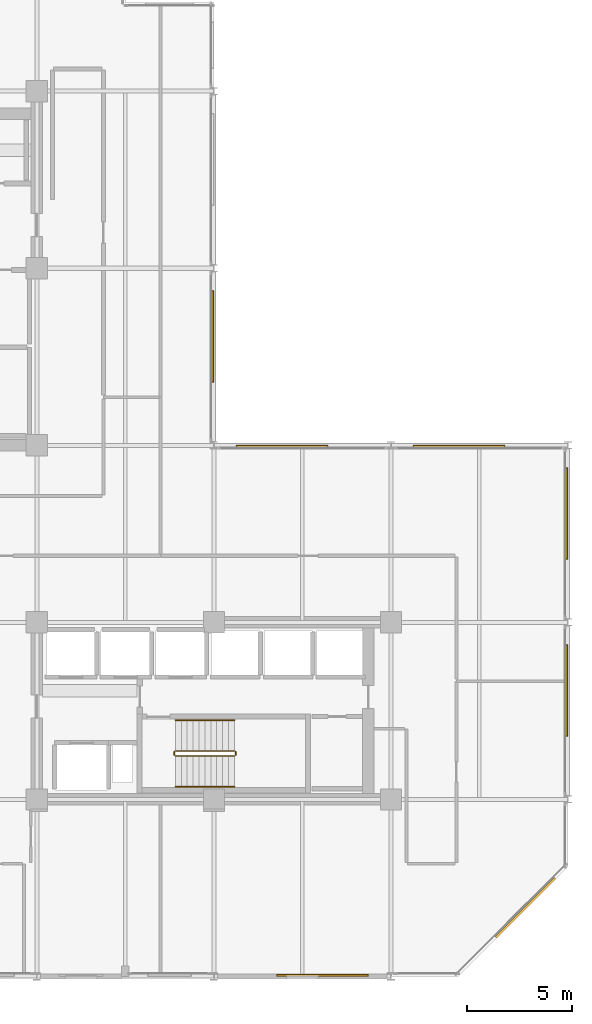
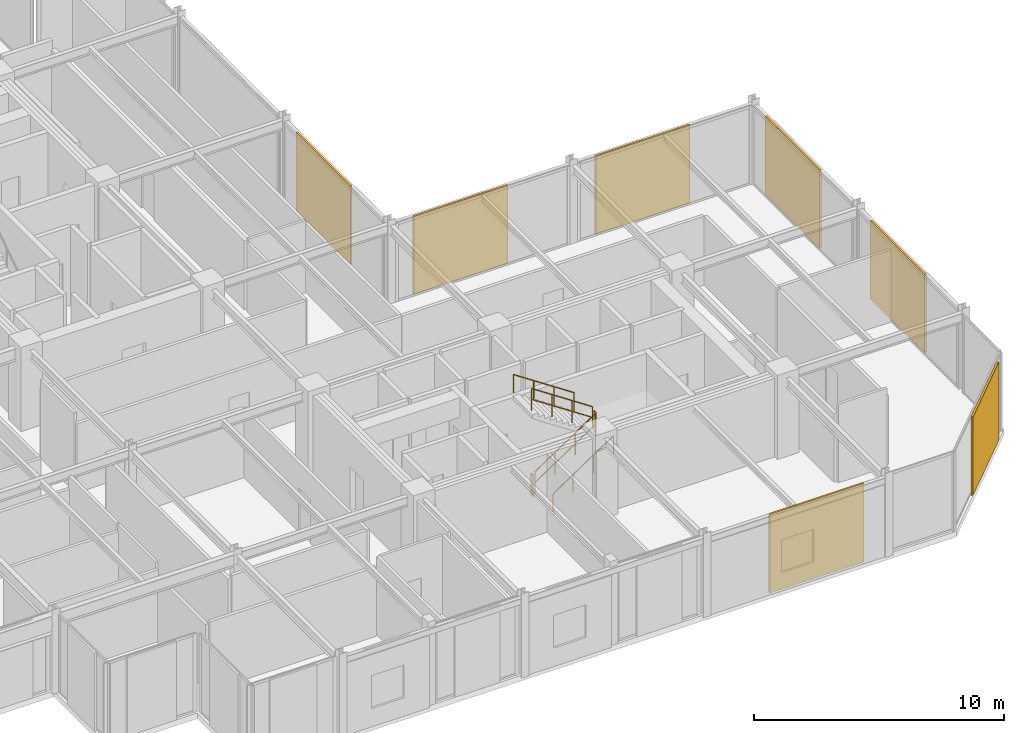
# One storey, part 28 of 29: 7 coverings, 6 railings.
"""IFC4 building model written with IfcOpenShell, lengths in metres."""

from ifc_helpers import new_model, si_unit, direction, frame, origin, origin_2d, place, context, subcontext, project, spatial, rectangle, circle, extrude, material, layer, layer_set, type_object, element, save


model = new_model("IFC4")

# Units and contexts
model_context = context("Model", 3, precision=1e-05, world=origin(), true_north=direction((0.0, 1.0)))
body_context = subcontext(model_context, "Body", "Model", "MODEL_VIEW")
ifc_project = project(units=[si_unit("LENGTHUNIT", "METRE"), si_unit("AREAUNIT", "SQUARE_METRE"), si_unit("VOLUMEUNIT", "CUBIC_METRE"), si_unit("PLANEANGLEUNIT", "RADIAN"), si_unit("MASSUNIT", "GRAM", prefix="KILO")], contexts=[model_context])

# Site, building, storey
site_placement = place(None, origin())
site = spatial("IfcSite", under=ifc_project, at=site_placement, CompositionType="ELEMENT")
building_placement = place(site_placement, origin())
building = spatial("IfcBuilding", under=site, at=building_placement, Name="Nerrivon Quay Data Exchange", CompositionType="ELEMENT")
storey_placement = place(building_placement, frame((0.0, 0.0, 212.39990234375)))
storey = spatial("IfcBuildingStorey", under=building, at=storey_placement, Name="L50", CompositionType="ELEMENT", Elevation=212.39990234375)

# Coverings
ifc_material_1 = material(Name="Architectural terracotta ceramic", Category="masonry")
ifc_layer = layer(ifc_material_1, 0.090087890625)
ifc_layer_set = layer_set([ifc_layer], Name="Architectural terracotta ceramic")
covering_type = type_object("IfcCoveringType", Name="COV-SCR-TERR", PredefinedType="CLADDING", material=ifc_layer_set)
for number, where, z_axis, x_axis, name in (
    (1, (25.155029296875, 30.365966796875, 0.0), (0.0, 0.0, 1.0), (0.0, -1.0, 0.0), "L50 Perforated Terracotta SOLAR SCREEN Cassette"),
    (2, (28.43408203125, 25.155029296875, 0.0), (0.0, 0.0, 1.0), (1.0, 0.0, 0.0), "L50 Perforated Terracotta SOLAR SCREEN Cassette"),
    (3, (36.833984375, 25.155029296875, 0.0), (0.0, 0.0, 1.0), (1.0, 0.0, 0.0), "L50 Perforated Terracotta SOLAR SCREEN Cassette"),
    (4, (41.955078125, 21.966064453125, 0.0), (0.0, 0.0, 1.0), (0.0, -1.0, 0.0), "L50 Perforated Terracotta SOLAR SCREEN Cassette"),
    (5, (41.955078125, 13.56591796875, 0.0), (0.0, 0.0, 1.0), (0.0, -1.0, 0.0), "L50 Perforated Terracotta SOLAR SCREEN Cassette"),
):
    element("IfcCovering", number, at=place(storey_placement, frame(where, z_axis=z_axis, x_axis=x_axis)), inside=storey, type_object=covering_type, Name=name, PredefinedType="CLADDING", context=body_context, shape_type="SweptSolid", body=[
        extrude(rectangle(XDim=4.346923828125, YDim=0.090087890625, at=origin_2d()), origin(), (0.0, 0.0, 1.0), 3.824951171875),
    ])
covering_1_placement = place(storey_placement, frame((39.9921875, 3.255859375, 0.0), z_axis=(0.0, 0.0, 1.0), x_axis=(-0.707106781187, -0.707106781187, 0.0)))
element("IfcCovering", 6, at=covering_1_placement, inside=storey, type_object=covering_type, Name="L50 Perforated Terracotta SOLAR SCREEN Cassette", PredefinedType="CLADDING", context=body_context, shape_type="SweptSolid", body=[
    extrude(rectangle(XDim=3.970947265625, YDim=0.090087890625, at=origin_2d()), origin(), (0.0, 0.0, 1.0), 3.824951171875),
])
covering_2_placement = place(storey_placement, frame((30.365966796875, 0.044921875, 0.0), z_axis=(0.0, 0.0, 1.0), x_axis=(-1.0, 0.0, 0.0)))
element("IfcCovering", 7, at=covering_2_placement, inside=storey, type_object=covering_type, Name="L50 Perforated Terracotta SOLAR SCREEN Cassette", PredefinedType="CLADDING", context=body_context, shape_type="SweptSolid", body=[
    extrude(rectangle(XDim=4.346923828125, YDim=0.090087890625, at=origin_2d()), origin(), (0.0, 0.0, 1.0), 3.824951171875),
])

# Railings
ifc_material_2 = material(Name="Steel Grade C350L0 (350 MPa)", Category="steel")
railing_type_1 = type_object("IfcRailingType", Name="RAIL-HAND-HR1", PredefinedType="HANDRAIL", material=ifc_material_2)
railing_1_placement = place(storey_placement, frame((23.3798828125, 9.0, 0.1865234375)))
element("IfcRailing", 8, at=railing_1_placement, inside=storey, type_object=railing_type_1, Name="L50 ST02 stair handrail 1", PredefinedType="HANDRAIL", context=body_context, shape_type="SweptSolid", body=[
    extrude(circle(Radius=0.02392578125, at=origin_2d()), frame((0.0, 0.0, 0.8759765625), z_axis=(0.832485552168, 0.0, 0.554046753832), x_axis=(0.0, 1.0, 0.0)), (0.0, 0.0, 1.0), 3.363525390625),
    extrude(circle(Radius=0.02099609375, at=origin_2d()), origin(), (0.0, 0.0, 1.0), 0.851806640625),
    extrude(circle(Radius=0.02099609375, at=origin_2d()), frame((0.933349609375, 0.0, 0.62109375)), (0.0, 0.0, 1.0), 0.851806640625),
    extrude(circle(Radius=0.02099609375, at=origin_2d()), frame((1.86669921875, 0.0, 1.242431640625)), (0.0, 0.0, 1.0), 0.851806640625),
    extrude(circle(Radius=0.02099609375, at=origin_2d()), frame((2.800048828125, 0.0, 1.863525390625)), (0.0, 0.0, 1.0), 0.851806640625),
])
railing_2_placement = place(storey_placement, frame((26.179931640625, 12.14990234375, 2.236572265625)))
element("IfcRailing", 9, at=railing_2_placement, inside=storey, type_object=railing_type_1, Name="L50 ST02 stair handrail 2", PredefinedType="HANDRAIL", context=body_context, shape_type="SweptSolid", body=[
    extrude(circle(Radius=0.02392578125, at=origin_2d()), frame((0.0, 0.0, 0.8759765625), z_axis=(-0.832485552168, 0.0, 0.554046753832), x_axis=(0.0, -1.0, 0.0)), (0.0, 0.0, 1.0), 3.363525390625),
    extrude(circle(Radius=0.02099609375, at=origin_2d()), origin(), (0.0, 0.0, 1.0), 0.851806640625),
    extrude(circle(Radius=0.02099609375, at=origin_2d()), frame((-0.933349609375, 0.0, 0.62109375)), (0.0, 0.0, 1.0), 0.851806640625),
    extrude(circle(Radius=0.02099609375, at=origin_2d()), frame((-1.86669921875, 0.0, 1.242431640625)), (0.0, 0.0, 1.0), 0.851806640625),
    extrude(circle(Radius=0.02099609375, at=origin_2d()), frame((-2.800048828125, 0.0, 1.863525390625)), (0.0, 0.0, 1.0), 0.851806640625),
])
railing_type_2 = type_object("IfcRailingType", Name="RAIL-STAIR-GR1", PredefinedType="BALUSTRADE", material=ifc_material_2)
railing_3_placement = place(storey_placement, frame((23.3798828125, 10.449951171875, 0.1865234375)))
element("IfcRailing", 10, at=railing_3_placement, inside=storey, type_object=railing_type_2, Name="L50 ST02 stair guard 1", PredefinedType="BALUSTRADE", context=body_context, shape_type="SweptSolid", body=[
    extrude(circle(Radius=0.02392578125, at=origin_2d()), frame((0.0, 0.0, 1.076171875), z_axis=(0.832485552168, 0.0, 0.554046753832), x_axis=(0.0, 1.0, 0.0)), (0.0, 0.0, 1.0), 3.363525390625),
    extrude(circle(Radius=0.02392578125, at=origin_2d()), frame((0.0, 0.0, 0.550048828125), z_axis=(0.832485552168, 0.0, 0.554046753832), x_axis=(0.0, 1.0, 0.0)), (0.0, 0.0, 1.0), 3.363525390625),
    extrude(circle(Radius=0.02099609375, at=origin_2d()), origin(), (0.0, 0.0, 1.0), 1.052001953125),
    extrude(circle(Radius=0.02099609375, at=origin_2d()), frame((0.933349609375, 0.0, 0.62109375)), (0.0, 0.0, 1.0), 1.052001953125),
    extrude(circle(Radius=0.02099609375, at=origin_2d()), frame((1.86669921875, 0.0, 1.242431640625)), (0.0, 0.0, 1.0), 1.052001953125),
    extrude(circle(Radius=0.02099609375, at=origin_2d()), frame((2.800048828125, 0.0, 1.863525390625)), (0.0, 0.0, 1.0), 1.052001953125),
])
railing_4_placement = place(storey_placement, frame((26.22998046875, 10.5, 2.050048828125)))
element("IfcRailing", 11, at=railing_4_placement, inside=storey, type_object=railing_type_2, Name="L50 ST02 stair guard 2", PredefinedType="BALUSTRADE", context=body_context, shape_type="SweptSolid", body=[
    extrude(circle(Radius=0.02392578125, at=origin_2d()), frame((0.0, 0.0, 1.076171875), z_axis=(0.0, 1.0, 0.0), x_axis=(-1.0, 0.0, 0.0)), (0.0, 0.0, 1.0), 0.14990234375),
    extrude(circle(Radius=0.02392578125, at=origin_2d()), frame((0.0, 0.0, 0.550048828125), z_axis=(0.0, 1.0, 0.0), x_axis=(-1.0, 0.0, 0.0)), (0.0, 0.0, 1.0), 0.14990234375),
    extrude(circle(Radius=0.02099609375, at=origin_2d()), origin(), (0.0, 0.0, 1.0), 1.052001953125),
    extrude(circle(Radius=0.02099609375, at=origin_2d()), frame((0.0, 0.14990234375, 0.0)), (0.0, 0.0, 1.0), 1.052001953125),
])
railing_5_placement = place(storey_placement, frame((26.179931640625, 10.699951171875, 2.236572265625)))
element("IfcRailing", 12, at=railing_5_placement, inside=storey, type_object=railing_type_2, Name="L50 ST02 stair guard 3", PredefinedType="BALUSTRADE", context=body_context, shape_type="SweptSolid", body=[
    extrude(circle(Radius=0.02392578125, at=origin_2d()), frame((0.0, 0.0, 1.076171875), z_axis=(-0.832485552168, 0.0, 0.554046753832), x_axis=(0.0, -1.0, 0.0)), (0.0, 0.0, 1.0), 3.363525390625),
    extrude(circle(Radius=0.02392578125, at=origin_2d()), frame((0.0, 0.0, 0.550048828125), z_axis=(-0.832485552168, 0.0, 0.554046753832), x_axis=(0.0, -1.0, 0.0)), (0.0, 0.0, 1.0), 3.363525390625),
    extrude(circle(Radius=0.02099609375, at=origin_2d()), origin(), (0.0, 0.0, 1.0), 1.052001953125),
    extrude(circle(Radius=0.02099609375, at=origin_2d()), frame((-0.933349609375, 0.0, 0.62109375)), (0.0, 0.0, 1.0), 1.052001953125),
    extrude(circle(Radius=0.02099609375, at=origin_2d()), frame((-1.86669921875, 0.0, 1.242431640625)), (0.0, 0.0, 1.0), 1.052001953125),
    extrude(circle(Radius=0.02099609375, at=origin_2d()), frame((-2.800048828125, 0.0, 1.863525390625)), (0.0, 0.0, 1.0), 1.052001953125),
])
railing_6_placement = place(storey_placement, frame((23.330078125, 10.5, 0.0)))
element("IfcRailing", 13, at=railing_6_placement, inside=storey, type_object=railing_type_2, Name="L50 ST02 stair guard 4", PredefinedType="BALUSTRADE", context=body_context, shape_type="SweptSolid", body=[
    extrude(circle(Radius=0.02392578125, at=origin_2d()), frame((0.0, 0.0, 1.076171875), z_axis=(0.0, 1.0, 0.0), x_axis=(-1.0, 0.0, 0.0)), (0.0, 0.0, 1.0), 0.14990234375),
    extrude(circle(Radius=0.02392578125, at=origin_2d()), frame((0.0, 0.0, 0.550048828125), z_axis=(0.0, 1.0, 0.0), x_axis=(-1.0, 0.0, 0.0)), (0.0, 0.0, 1.0), 0.14990234375),
    extrude(circle(Radius=0.02099609375, at=origin_2d()), origin(), (0.0, 0.0, 1.0), 1.052001953125),
    extrude(circle(Radius=0.02099609375, at=origin_2d()), frame((0.0, 0.14990234375, 0.0)), (0.0, 0.0, 1.0), 1.052001953125),
])

save(model, "model.ifc")
